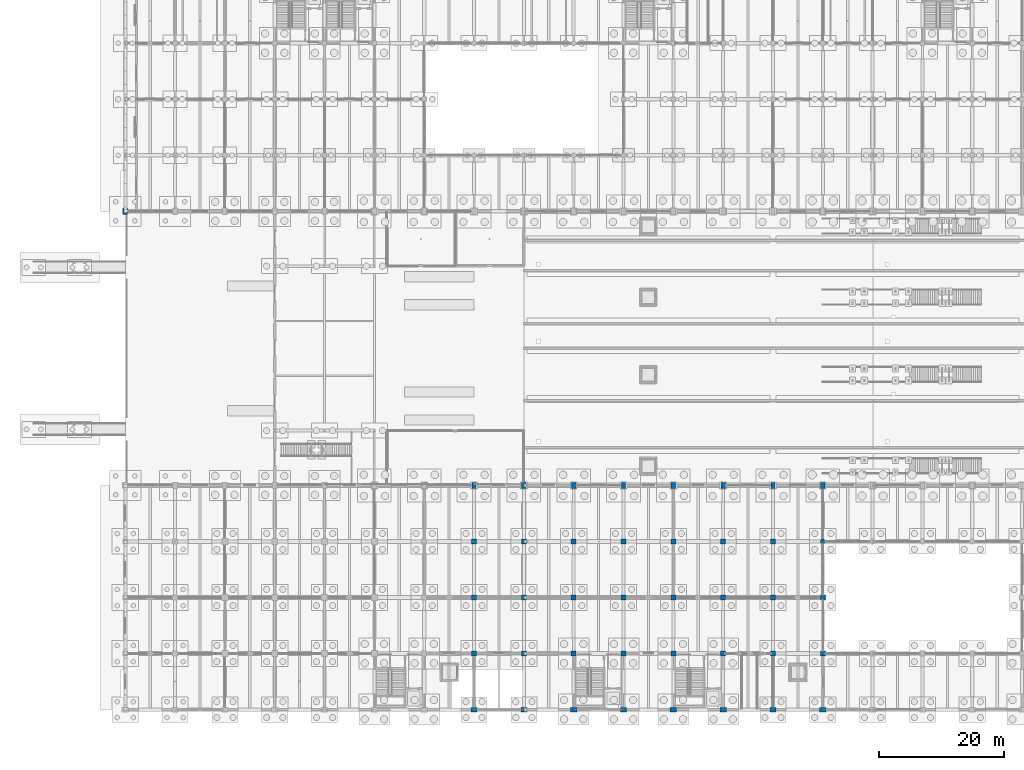
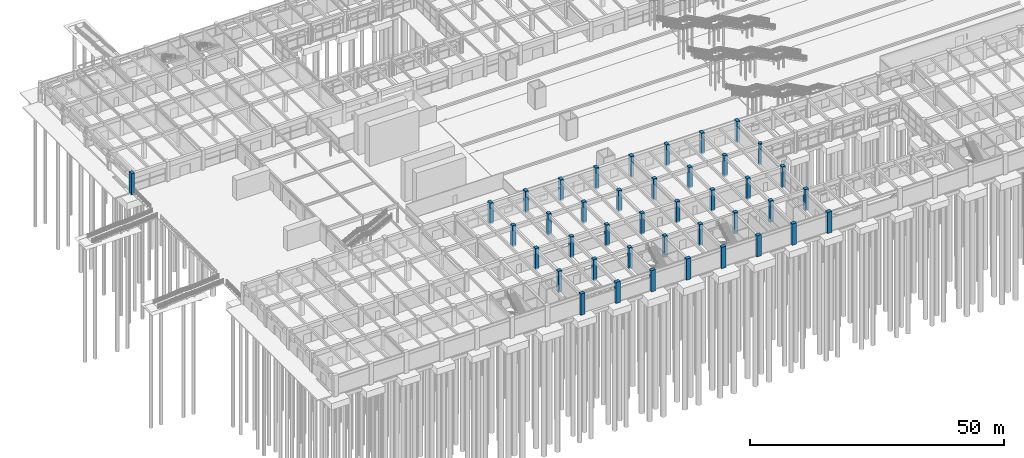
# One storey, part 13 of 147: 41 columns.
"""IFC4 building model written with IfcOpenShell, lengths in metres."""

from ifc_helpers import new_model, si_unit, direction, frame, origin, origin_2d, place, context, subcontext, project, spatial, rectangle, circle, extrude, material, material_profile, profile_set, type_object, element, save


model = new_model("IFC4")

# Units and contexts
model_context = context("Model", 3, precision=1e-05, world=origin(), true_north=direction((0.0, 1.0)))
body_context = subcontext(model_context, "Body", "Model", "MODEL_VIEW")
ifc_project = project(units=[si_unit("LENGTHUNIT", "METRE"), si_unit("AREAUNIT", "SQUARE_METRE"), si_unit("VOLUMEUNIT", "CUBIC_METRE"), si_unit("PLANEANGLEUNIT", "RADIAN"), si_unit("MASSUNIT", "GRAM", prefix="KILO")], contexts=[model_context])

# Site, building, storey
site_placement = place(None, origin())
site = spatial("IfcSite", under=ifc_project, at=site_placement, CompositionType="ELEMENT")
building_placement = place(site_placement, origin())
building = spatial("IfcBuilding", under=site, at=building_placement, Name="Varnabhumi Central Station", CompositionType="ELEMENT")
storey_placement = place(building_placement, origin())
storey = spatial("IfcBuildingStorey", under=building, at=storey_placement, Name="L00", CompositionType="ELEMENT", Elevation=0.0)

# Columns
ifc_material_1 = material(Name="Concrete M50", Category="concrete")
ifc_material_profile_1 = material_profile(ifc_material_1, rectangle(XDim=1.0, YDim=0.75, at=origin_2d()), Name="Concrete M50", Category="concrete")
ifc_profile_set_1 = profile_set([ifc_material_profile_1], Name="Concrete M50")
column_type_1 = type_object("IfcColumnType", Name="COL-RC-1000x750", PredefinedType="PILASTER", material=ifc_profile_set_1)
for number, where, z_axis, x_axis, name in (
    (1, (56.0, 0.0, -0.300048828125), (0.0, 0.0, 1.0), (1.0, 0.0, 0.0), "Column L00-8A"),
    (2, (64.0, 0.0, -0.300048828125), (0.0, 0.0, 1.0), (1.0, 0.0, 0.0), "Column L00-9A"),
    (3, (72.0, 0.0, -0.300048828125), (0.0, 0.0, 1.0), (1.0, 0.0, 0.0), "Column L00-10A"),
    (4, (80.0, 0.0, -0.300048828125), (0.0, 0.0, 1.0), (1.0, 0.0, 0.0), "Column L00-11A"),
    (5, (88.0, 0.0, -0.300048828125), (0.0, 0.0, 1.0), (1.0, 0.0, 0.0), "Column L00-12A"),
    (6, (96.0, 0.0, -0.300048828125), (0.0, 0.0, 1.0), (1.0, 0.0, 0.0), "Column L00-13A"),
    (7, (104.0, 0.0, -0.300048828125), (0.0, 0.0, 1.0), (1.0, 0.0, 0.0), "Column L00-14A"),
    (8, (112.0, 0.0, -0.300048828125), (0.0, 0.0, 1.0), (1.0, 0.0, 0.0), "Column L00-15A"),
):
    element("IfcColumn", number, at=place(storey_placement, frame(where, z_axis=z_axis, x_axis=x_axis)), inside=storey, type_object=column_type_1, Name=name, PredefinedType="PILASTER", context=body_context, shape_type="SweptSolid", body=[
        extrude(rectangle(XDim=1.0, YDim=0.75, at=origin_2d()), origin(), (0.0, 0.0, 1.0), 5.10009765625),
    ])
ifc_material_2 = material(Name="Concrete M40", Category="concrete")
ifc_material_profile_2 = material_profile(ifc_material_2, circle(Radius=0.39990234375, at=origin_2d()), Name="Concrete M40", Category="concrete")
ifc_profile_set_2 = profile_set([ifc_material_profile_2], Name="Concrete M40")
column_type_2 = type_object("IfcColumnType", Name="COL-RC-D800", PredefinedType="COLUMN", material=ifc_profile_set_2)
column_placement = place(storey_placement, frame((112.0, 27.0, -0.300048828125), z_axis=(0.0, 0.0, 1.0), x_axis=(1.0, 0.0, 0.0)))
element("IfcColumn", 9, at=column_placement, inside=storey, type_object=column_type_2, Name="Column L00-15D", PredefinedType="COLUMN", context=body_context, shape_type="SweptSolid", body=[
    extrude(circle(Radius=0.39990234375, at=origin_2d()), origin(), (0.0, 0.0, 1.0), 5.10009765625),
])
ifc_material_profile_3 = material_profile(ifc_material_2, rectangle(XDim=0.800048828125, YDim=0.800048828125, at=origin_2d()), Name="Concrete M40", Category="concrete")
ifc_profile_set_3 = profile_set([ifc_material_profile_3], Name="Concrete M40")
column_type_3 = type_object("IfcColumnType", Name="COL-SOUTH-800", PredefinedType="COLUMN", material=ifc_profile_set_3)
for number, where, z_axis, x_axis, name in (
    (10, (56.0, 9.0, -0.300048828125), (0.0, 0.0, 1.0), (1.0, 0.0, 0.0), "Column L00-8B"),
    (11, (56.0, 18.0, -0.300048828125), (0.0, 0.0, 1.0), (1.0, 0.0, 0.0), "Column L00-8C"),
    (12, (56.0, 27.0, -0.300048828125), (0.0, 0.0, 1.0), (1.0, 0.0, 0.0), "Column L00-8D"),
    (13, (64.0, 9.0, -0.300048828125), (0.0, 0.0, 1.0), (1.0, 0.0, 0.0), "Column L00-9B"),
    (14, (64.0, 18.0, -0.300048828125), (0.0, 0.0, 1.0), (1.0, 0.0, 0.0), "Column L00-9C"),
    (15, (64.0, 27.0, -0.300048828125), (0.0, 0.0, 1.0), (1.0, 0.0, 0.0), "Column L00-9D"),
    (16, (72.0, 9.0, -0.300048828125), (0.0, 0.0, 1.0), (1.0, 0.0, 0.0), "Column L00-10B"),
    (17, (72.0, 18.0, -0.300048828125), (0.0, 0.0, 1.0), (1.0, 0.0, 0.0), "Column L00-10C"),
    (18, (72.0, 27.0, -0.300048828125), (0.0, 0.0, 1.0), (1.0, 0.0, 0.0), "Column L00-10D"),
    (19, (80.0, 9.0, -0.300048828125), (0.0, 0.0, 1.0), (1.0, 0.0, 0.0), "Column L00-11B"),
    (20, (80.0, 18.0, -0.300048828125), (0.0, 0.0, 1.0), (1.0, 0.0, 0.0), "Column L00-11C"),
    (21, (80.0, 27.0, -0.300048828125), (0.0, 0.0, 1.0), (1.0, 0.0, 0.0), "Column L00-11D"),
    (22, (88.0, 9.0, -0.300048828125), (0.0, 0.0, 1.0), (1.0, 0.0, 0.0), "Column L00-12B"),
    (23, (88.0, 18.0, -0.300048828125), (0.0, 0.0, 1.0), (1.0, 0.0, 0.0), "Column L00-12C"),
    (24, (88.0, 27.0, -0.300048828125), (0.0, 0.0, 1.0), (1.0, 0.0, 0.0), "Column L00-12D"),
    (25, (96.0, 9.0, -0.300048828125), (0.0, 0.0, 1.0), (1.0, 0.0, 0.0), "Column L00-13B"),
    (26, (96.0, 18.0, -0.300048828125), (0.0, 0.0, 1.0), (1.0, 0.0, 0.0), "Column L00-13C"),
    (27, (96.0, 27.0, -0.300048828125), (0.0, 0.0, 1.0), (1.0, 0.0, 0.0), "Column L00-13D"),
    (28, (104.0, 9.0, -0.300048828125), (0.0, 0.0, 1.0), (1.0, 0.0, 0.0), "Column L00-14B"),
    (29, (104.0, 18.0, -0.300048828125), (0.0, 0.0, 1.0), (1.0, 0.0, 0.0), "Column L00-14C"),
    (30, (104.0, 27.0, -0.300048828125), (0.0, 0.0, 1.0), (1.0, 0.0, 0.0), "Column L00-14D"),
    (31, (112.0, 9.0, -0.300048828125), (0.0, 0.0, 1.0), (1.0, 0.0, 0.0), "Column L00-15B"),
    (32, (112.0, 18.0, -0.300048828125), (0.0, 0.0, 1.0), (1.0, 0.0, 0.0), "Column L00-15C"),
):
    element("IfcColumn", number, at=place(storey_placement, frame(where, z_axis=z_axis, x_axis=x_axis)), inside=storey, type_object=column_type_3, Name=name, PredefinedType="COLUMN", context=body_context, shape_type="SweptSolid", body=[
        extrude(rectangle(XDim=0.800048828125, YDim=0.800048828125, at=origin_2d()), origin(), (0.0, 0.0, 1.0), 5.10009765625),
    ])
ifc_material_profile_4 = material_profile(ifc_material_1, rectangle(XDim=0.699951171875, YDim=1.0, at=origin_2d()), Name="Concrete M50", Category="concrete")
ifc_profile_set_4 = profile_set([ifc_material_profile_4], Name="Concrete M50")
column_type_4 = type_object("IfcColumnType", Name="COL-SPINE-M50-1000x700", PredefinedType="COLUMN", material=ifc_profile_set_4)
for number, where, z_axis, x_axis, name in (
    (33, (0.0, 80.0, -0.300048828125), (0.0, 0.0, 1.0), (1.0, 0.0, 0.0), "Column L00-1K"),
    (34, (56.0, 36.0, -0.300048828125), (0.0, 0.0, 1.0), (1.0, 0.0, 0.0), "Column L00-8E"),
    (35, (64.0, 36.0, -0.300048828125), (0.0, 0.0, 1.0), (1.0, 0.0, 0.0), "Column L00-9E"),
    (36, (72.0, 36.0, -0.300048828125), (0.0, 0.0, 1.0), (1.0, 0.0, 0.0), "Column L00-10E"),
    (37, (80.0, 36.0, -0.300048828125), (0.0, 0.0, 1.0), (1.0, 0.0, 0.0), "Column L00-11E"),
    (38, (88.0, 36.0, -0.300048828125), (0.0, 0.0, 1.0), (1.0, 0.0, 0.0), "Column L00-12E"),
    (39, (96.0, 36.0, -0.300048828125), (0.0, 0.0, 1.0), (1.0, 0.0, 0.0), "Column L00-13E"),
    (40, (104.0, 36.0, -0.300048828125), (0.0, 0.0, 1.0), (1.0, 0.0, 0.0), "Column L00-14E"),
    (41, (112.0, 36.0, -0.300048828125), (0.0, 0.0, 1.0), (1.0, 0.0, 0.0), "Column L00-15E"),
):
    element("IfcColumn", number, at=place(storey_placement, frame(where, z_axis=z_axis, x_axis=x_axis)), inside=storey, type_object=column_type_4, Name=name, PredefinedType="COLUMN", context=body_context, shape_type="SweptSolid", body=[
        extrude(rectangle(XDim=0.699951171875, YDim=1.0, at=origin_2d()), origin(), (0.0, 0.0, 1.0), 5.10009765625),
    ])

save(model, "model.ifc")
